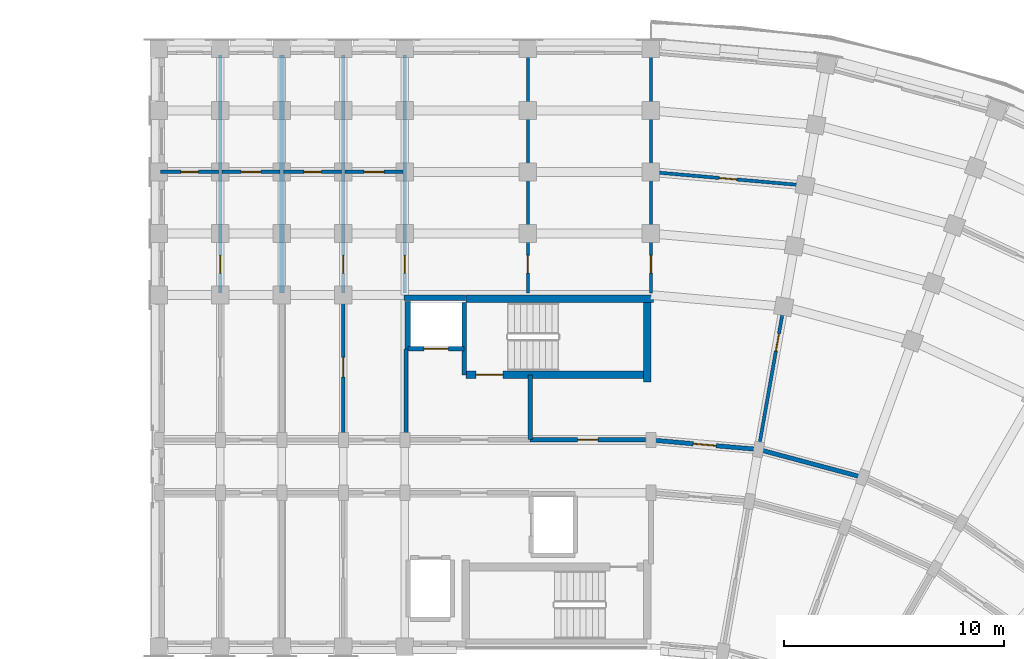
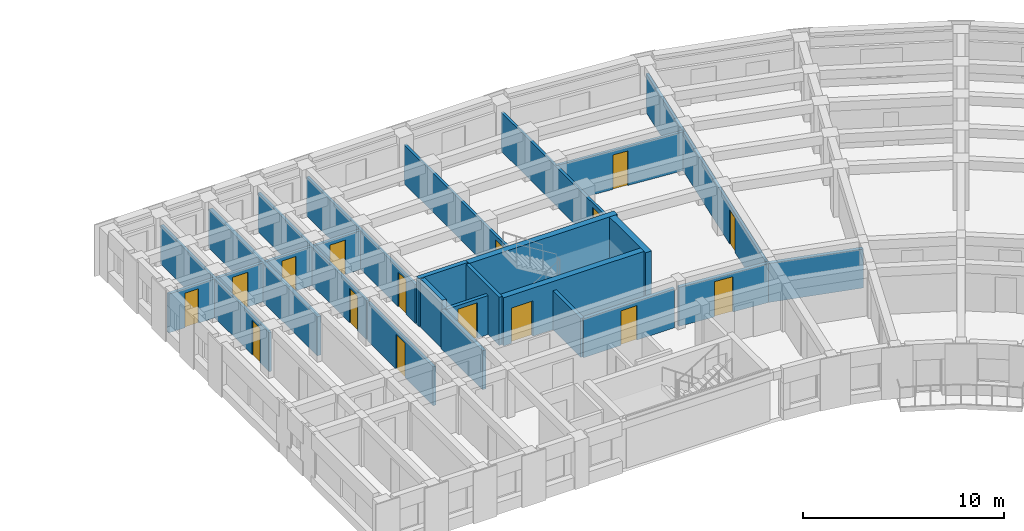
# One storey, part 30 of 54: 25 walls, 16 doors, 16 openings.
"""IFC4 building model written with IfcOpenShell, lengths in metres."""

from ifc_helpers import new_model, si_unit, direction, frame, frame_2d, origin, place, context, subcontext, project, spatial, rectangle, extrude, material, layer, layer_set, type_object, element, fill, save


model = new_model("IFC4")

# Units and contexts
model_context = context("Model", 3, precision=1e-05, world=origin(), true_north=direction((0.0, 1.0)))
body_context = subcontext(model_context, "Body", "Model", "MODEL_VIEW")
ifc_project = project(units=[si_unit("LENGTHUNIT", "METRE"), si_unit("AREAUNIT", "SQUARE_METRE"), si_unit("VOLUMEUNIT", "CUBIC_METRE"), si_unit("PLANEANGLEUNIT", "RADIAN"), si_unit("MASSUNIT", "GRAM", prefix="KILO")], contexts=[model_context])

# Site, building, storey
site_placement = place(None, origin())
site = spatial("IfcSite", under=ifc_project, at=site_placement, CompositionType="ELEMENT")
building_placement = place(site_placement, origin())
building = spatial("IfcBuilding", under=site, at=building_placement, Name="Kiranvali Square Residences", CompositionType="ELEMENT")
storey_placement = place(building_placement, frame((0.0, 0.0, 11.85009765625)))
storey = spatial("IfcBuildingStorey", under=building, at=storey_placement, Name="L03", CompositionType="ELEMENT", Elevation=11.85009765625)

# Wall, opening, door
ifc_material_1 = material(Name="Autoclaved aerated concrete blockwork masonry", Category="masonry")
ifc_layer_1 = layer(ifc_material_1, 0.199951171875)
ifc_layer_set_1 = layer_set([ifc_layer_1], Name="Autoclaved aerated concrete blockwork masonry")
wall_type_1 = type_object("IfcWallType", Name="WL-COR-200", PredefinedType="STANDARD", material=ifc_layer_set_1)
wall_1_placement = place(storey_placement, frame((119.800048828125, 116.0, 0.0), z_axis=(0.0, 0.0, 1.0), x_axis=(0.996193663584, -0.087167566415, 0.0)))
wall_1 = element("IfcWall", 1, at=wall_1_placement, inside=storey, type_object=wall_type_1, Name="L03 architectural wall WL-L03-B-CCO-0", PredefinedType="STANDARD", context=body_context, shape_type="SweptSolid", body=[
    extrude(rectangle(XDim=4.91552734375, YDim=0.199951171875, at=frame_2d((2.457763671875, 0.0))), origin(), (0.0, 0.0, 1.0), 2.371826171875),
])
opening_1_placement = place(wall_1_placement, frame((1.937744140625, 0.0, 0.0)))
opening_1 = element("IfcOpeningElement", 2, at=opening_1_placement, cuts=wall_1, Name="Opening FD-APT-60B", PredefinedType="OPENING", context=body_context, shape_type="SweptSolid", body=[
    extrude(rectangle(XDim=1.0400390625, YDim=2.14990234375, at=frame_2d((0.52001953125, 1.074951171875))), frame((0.0, 0.10986328125, 0.0), z_axis=(0.0, -1.0, 0.0), x_axis=(1.0, 0.0, 0.0)), (0.0, 0.0, 1.0), 0.219970703125),
])
ifc_material_2 = material(Name="Fire-rated acoustic hardwood and mineral-core door assembly", Category="wood")
door_type_1 = type_object("IfcDoorType", Name="DR-APT-1040", OperationType="NOTDEFINED", PredefinedType="DOOR", material=ifc_material_2)
door_1_placement = place(opening_1_placement, frame((1.0400390625, 0.0, 0.0), z_axis=(0.0, 0.0, 1.0), x_axis=(-1.0, 0.0, 0.0)))
door_1 = element("IfcDoor", 3, at=door_1_placement, inside=storey, type_object=door_type_1, Name="L03 door DR-L03-1166 (DR-APT-1040)", OperationType="SINGLE_SWING_RIGHT", OverallHeight=2.14990234375, OverallWidth=1.0400390625, PredefinedType="DOOR", context=body_context, shape_type="SweptSolid", body=[
    extrude(rectangle(XDim=1.0400390625, YDim=2.14990234375, at=frame_2d((0.52001953125, 1.074951171875))), frame((0.0, 0.02490234375, 0.0), z_axis=(0.0, -1.0, 0.0), x_axis=(1.0, 0.0, 0.0)), (0.0, 0.0, 1.0), 0.050048828125),
])
fill(opening_1, door_1)

# Walls
wall_2_placement = place(storey_placement, frame((124.69677734375, 115.571533203125, 0.0), z_axis=(0.0, 0.0, 1.0), x_axis=(0.965930095386, -0.258803112091, 0.0)))
element("IfcWall", 4, at=wall_2_placement, inside=storey, type_object=wall_type_1, Name="L03 architectural wall WL-L03-B-CCO-1", PredefinedType="STANDARD", context=body_context, shape_type="SweptSolid", body=[
    extrude(rectangle(XDim=4.915771484375, YDim=0.199951171875, at=frame_2d((2.4580078125, 0.0))), origin(), (0.0, 0.0, 1.0), 2.371826171875),
])
ifc_layer_2 = layer(ifc_material_1, 0.219970703125)
ifc_layer_set_2 = layer_set([ifc_layer_2], Name="Autoclaved aerated concrete blockwork masonry")
wall_type_2 = type_object("IfcWallType", Name="WL-DEM-220", PredefinedType="STANDARD", material=ifc_layer_set_2)
wall_3_placement = place(storey_placement, frame((103.0, 122.699951171875, 0.0), z_axis=(0.0, 0.0, 1.0), x_axis=(0.0, 1.0, 0.0)))
element("IfcWall", 5, at=wall_3_placement, inside=storey, type_object=wall_type_2, Name="L03 architectural wall WL-L03-B-A1TO2-2", PredefinedType="STANDARD", context=body_context, shape_type="SweptSolid", body=[
    extrude(rectangle(XDim=10.820068359375, YDim=0.219970703125, at=frame_2d((5.41015625, 0.0))), origin(), (0.0, 0.0, 1.0), 2.371826171875),
])
ifc_layer_3 = layer(ifc_material_1, 0.199951171875)
ifc_layer_set_3 = layer_set([ifc_layer_3], Name="Autoclaved aerated concrete blockwork masonry")
wall_type_3 = type_object("IfcWallType", Name="WL-FFL-200", PredefinedType="STANDARD", material=ifc_layer_set_3)
wall_4_placement = place(storey_placement, frame((114.300048828125, 116.02001953125, 0.0), z_axis=(0.0, 0.0, 1.0), x_axis=(0.0, 1.0, 0.0)))
element("IfcWall", 6, at=wall_4_placement, inside=storey, type_object=wall_type_3, Name="L03 architectural wall WL-L03-B-FF-DIV", PredefinedType="STANDARD", context=body_context, shape_type="SweptSolid", body=[
    extrude(rectangle(XDim=2.929931640625, YDim=0.199951171875, at=frame_2d((1.46484375, 0.0))), origin(), (0.0, 0.0, 1.0), 2.371826171875),
])
wall_5_placement = place(storey_placement, frame((108.64990234375, 116.02001953125, 0.0), z_axis=(0.0, 0.0, 1.0), x_axis=(0.0, 1.0, 0.0)))
element("IfcWall", 7, at=wall_5_placement, inside=storey, type_object=wall_type_3, Name="L03 architectural wall WL-L03-B-FF-END", PredefinedType="STANDARD", context=body_context, shape_type="SweptSolid", body=[
    extrude(rectangle(XDim=4.1298828125, YDim=0.199951171875, at=frame_2d((2.06494140625, 0.0))), origin(), (0.0, 0.0, 1.0), 2.371826171875),
])

# Wall, opening, door
wall_6_placement = place(storey_placement, frame((111.300048828125, 120.14990234375, 0.0), z_axis=(0.0, 0.0, 1.0), x_axis=(-1.0, 0.0, 0.0)))
wall_6 = element("IfcWall", 8, at=wall_6_placement, inside=storey, type_object=wall_type_3, Name="L03 architectural wall WL-L03-B-FF-LFT", PredefinedType="STANDARD", context=body_context, shape_type="SweptSolid", body=[
    extrude(rectangle(XDim=2.550048828125, YDim=0.199951171875, at=frame_2d((1.27490234375, 0.0))), origin(), (0.0, 0.0, 1.0), 2.371826171875),
])
opening_2_placement = place(wall_6_placement, frame((0.72509765625, 0.0, 0.0)))
opening_2 = element("IfcOpeningElement", 9, at=opening_2_placement, cuts=wall_6, Name="Opening LD-FF-110", PredefinedType="OPENING", context=body_context, shape_type="SweptSolid", body=[
    extrude(rectangle(XDim=1.10009765625, YDim=2.14990234375, at=frame_2d((0.550048828125, 1.074951171875))), frame((0.0, 0.10986328125, 0.0), z_axis=(0.0, -1.0, 0.0), x_axis=(1.0, 0.0, 0.0)), (0.0, 0.0, 1.0), 0.219970703125),
])
door_type_2 = type_object("IfcDoorType", Name="DR-LIFT-FF-1100", OperationType="SLIDING_TO_LEFT", PredefinedType="DOOR", material=ifc_material_2)
door_2_placement = place(opening_2_placement, origin())
door_2 = element("IfcDoor", 10, at=door_2_placement, inside=storey, type_object=door_type_2, Name="L03 door DR-L03-1130 (DR-LIFT-FF-1100)", OperationType="SLIDING_TO_LEFT", OverallHeight=2.14990234375, OverallWidth=1.10009765625, PredefinedType="DOOR", context=body_context, shape_type="SweptSolid", body=[
    extrude(rectangle(XDim=1.10009765625, YDim=2.14990234375, at=frame_2d((0.550048828125, 1.074951171875))), frame((0.0, 0.02490234375, 0.0), z_axis=(0.0, -1.0, 0.0), x_axis=(1.0, 0.0, 0.0)), (0.0, 0.0, 1.0), 0.050048828125),
])
fill(opening_2, door_2)

ifc_material_3 = material(Name="Acoustic gypsum board drylined partition", Category="gypsum")
ifc_layer_4 = layer(ifc_material_3, 0.14990234375)
ifc_layer_set_4 = layer_set([ifc_layer_4], Name="Acoustic gypsum board drylined partition")
wall_type_4 = type_object("IfcWallType", Name="WL-PRT-150", PredefinedType="PARTITIONING", material=ifc_layer_set_4)
wall_7_placement = place(storey_placement, frame((114.199951171875, 122.699951171875, 0.0), z_axis=(0.0, 0.0, 1.0), x_axis=(0.0, 1.0, 0.0)))
wall_7 = element("IfcWall", 11, at=wall_7_placement, inside=storey, type_object=wall_type_4, Name="L03 architectural wall WL-L03-B-CF-MID", PredefinedType="PARTITIONING", context=body_context, shape_type="SweptSolid", body=[
    extrude(rectangle(XDim=10.820068359375, YDim=0.14990234375, at=frame_2d((5.41015625, 0.0))), origin(), (0.0, 0.0, 1.0), 2.371826171875),
])
opening_3_placement = place(wall_7_placement, frame((0.8994140625, 0.0, 0.0)))
opening_3 = element("IfcOpeningElement", 12, at=opening_3_placement, cuts=wall_7, Name="Opening ID-WET", PredefinedType="OPENING", context=body_context, shape_type="SweptSolid", body=[
    extrude(rectangle(XDim=0.800048828125, YDim=2.10009765625, at=frame_2d((0.39990234375, 1.050048828125))), frame((0.0, 0.0849609375, 0.0), z_axis=(0.0, -1.0, 0.0), x_axis=(1.0, 0.0, 0.0)), (0.0, 0.0, 1.0), 0.169921875),
])
ifc_material_4 = material(Name="Solid seasoned teak hardwood joinery", Category="wood")
door_type_3 = type_object("IfcDoorType", Name="DR-WET-800", OperationType="NOTDEFINED", PredefinedType="DOOR", material=ifc_material_4)
door_3_placement = place(opening_3_placement, origin())
door_3 = element("IfcDoor", 13, at=door_3_placement, inside=storey, type_object=door_type_3, Name="L03 door DR-L03-1139 (DR-WET-800)", OperationType="SINGLE_SWING_LEFT", OverallHeight=2.10009765625, OverallWidth=0.800048828125, PredefinedType="DOOR", context=body_context, shape_type="SweptSolid", body=[
    extrude(rectangle(XDim=0.800048828125, YDim=2.10009765625, at=frame_2d((0.39990234375, 1.050048828125))), frame((0.0, 0.02490234375, 0.0), z_axis=(0.0, -1.0, 0.0), x_axis=(1.0, 0.0, 0.0)), (0.0, 0.0, 1.0), 0.050048828125),
])
fill(opening_3, door_3)

wall_8_placement = place(storey_placement, frame((108.60009765625, 122.699951171875, 0.0), z_axis=(0.0, 0.0, 1.0), x_axis=(0.0, 1.0, 0.0)))
wall_8 = element("IfcWall", 14, at=wall_8_placement, inside=storey, type_object=wall_type_4, Name="L03 architectural wall WL-L03-B-A1TO2-0", PredefinedType="PARTITIONING", context=body_context, shape_type="SweptSolid", body=[
    extrude(rectangle(XDim=10.820068359375, YDim=0.14990234375, at=frame_2d((5.41015625, 0.0))), origin(), (0.0, 0.0, 1.0), 2.371826171875),
])
opening_4_placement = place(wall_8_placement, frame((0.8994140625, 0.0, 0.0)))
opening_4 = element("IfcOpeningElement", 15, at=opening_4_placement, cuts=wall_8, Name="Opening ID-WET", PredefinedType="OPENING", context=body_context, shape_type="SweptSolid", body=[
    extrude(rectangle(XDim=0.800048828125, YDim=2.10009765625, at=frame_2d((0.39990234375, 1.050048828125))), frame((0.0, 0.0849609375, 0.0), z_axis=(0.0, -1.0, 0.0), x_axis=(1.0, 0.0, 0.0)), (0.0, 0.0, 1.0), 0.169921875),
])
door_4_placement = place(opening_4_placement, frame((0.800048828125, 0.0, 0.0), z_axis=(0.0, 0.0, 1.0), x_axis=(-1.0, 0.0, 0.0)))
door_4 = element("IfcDoor", 16, at=door_4_placement, inside=storey, type_object=door_type_3, Name="L03 door DR-L03-1148 (DR-WET-800)", OperationType="SINGLE_SWING_RIGHT", OverallHeight=2.10009765625, OverallWidth=0.800048828125, PredefinedType="DOOR", context=body_context, shape_type="SweptSolid", body=[
    extrude(rectangle(XDim=0.800048828125, YDim=2.10009765625, at=frame_2d((0.39990234375, 1.050048828125))), frame((0.0, 0.02490234375, 0.0), z_axis=(0.0, -1.0, 0.0), x_axis=(1.0, 0.0, 0.0)), (0.0, 0.0, 1.0), 0.050048828125),
])
fill(opening_4, door_4)

wall_9_placement = place(storey_placement, frame((105.800048828125, 116.050048828125, 0.0), z_axis=(0.0, 0.0, 1.0), x_axis=(0.0, 1.0, 0.0)))
wall_9 = element("IfcWall", 17, at=wall_9_placement, inside=storey, type_object=wall_type_4, Name="L03 architectural wall WL-L03-B-A1TO1-1", PredefinedType="PARTITIONING", context=body_context, shape_type="SweptSolid", body=[
    extrude(rectangle(XDim=6.530029296875, YDim=0.14990234375, at=frame_2d((3.26513671875, 0.0))), origin(), (0.0, 0.0, 1.0), 2.371826171875),
])
opening_5_placement = place(wall_9_placement, frame((2.81494140625, 0.0, 0.0)))
opening_5 = element("IfcOpeningElement", 18, at=opening_5_placement, cuts=wall_9, Name="Opening ID-1", PredefinedType="OPENING", context=body_context, shape_type="SweptSolid", body=[
    extrude(rectangle(XDim=0.89990234375, YDim=2.10009765625, at=frame_2d((0.449951171875, 1.050048828125))), frame((0.0, 0.0849609375, 0.0), z_axis=(0.0, -1.0, 0.0), x_axis=(1.0, 0.0, 0.0)), (0.0, 0.0, 1.0), 0.169921875),
])
door_type_4 = type_object("IfcDoorType", Name="DR-INT-900", OperationType="NOTDEFINED", PredefinedType="DOOR", material=ifc_material_4)
door_5_placement = place(opening_5_placement, frame((0.89990234375, 0.0, 0.0), z_axis=(0.0, 0.0, 1.0), x_axis=(-1.0, 0.0, 0.0)))
door_5 = element("IfcDoor", 19, at=door_5_placement, inside=storey, type_object=door_type_4, Name="L03 door DR-L03-1150 (DR-INT-900)", OperationType="SINGLE_SWING_RIGHT", OverallHeight=2.10009765625, OverallWidth=0.89990234375, PredefinedType="DOOR", context=body_context, shape_type="SweptSolid", body=[
    extrude(rectangle(XDim=0.89990234375, YDim=2.10009765625, at=frame_2d((0.449951171875, 1.050048828125))), frame((0.0, 0.02490234375, 0.0), z_axis=(0.0, -1.0, 0.0), x_axis=(1.0, 0.0, 0.0)), (0.0, 0.0, 1.0), 0.050048828125),
])
fill(opening_5, door_5)

wall_10_placement = place(storey_placement, frame((105.800048828125, 122.699951171875, 0.0), z_axis=(0.0, 0.0, 1.0), x_axis=(0.0, 1.0, 0.0)))
wall_10 = element("IfcWall", 20, at=wall_10_placement, inside=storey, type_object=wall_type_4, Name="L03 architectural wall WL-L03-B-A1TO2-1", PredefinedType="PARTITIONING", context=body_context, shape_type="SweptSolid", body=[
    extrude(rectangle(XDim=10.820068359375, YDim=0.14990234375, at=frame_2d((5.41015625, 0.0))), origin(), (0.0, 0.0, 1.0), 2.371826171875),
])
opening_6_placement = place(wall_10_placement, frame((0.8994140625, 0.0, 0.0)))
opening_6 = element("IfcOpeningElement", 21, at=opening_6_placement, cuts=wall_10, Name="Opening ID-WET", PredefinedType="OPENING", context=body_context, shape_type="SweptSolid", body=[
    extrude(rectangle(XDim=0.800048828125, YDim=2.10009765625, at=frame_2d((0.39990234375, 1.050048828125))), frame((0.0, 0.0849609375, 0.0), z_axis=(0.0, -1.0, 0.0), x_axis=(1.0, 0.0, 0.0)), (0.0, 0.0, 1.0), 0.169921875),
])
door_6_placement = place(opening_6_placement, origin())
door_6 = element("IfcDoor", 22, at=door_6_placement, inside=storey, type_object=door_type_3, Name="L03 door DR-L03-1151 (DR-WET-800)", OperationType="SINGLE_SWING_LEFT", OverallHeight=2.10009765625, OverallWidth=0.800048828125, PredefinedType="DOOR", context=body_context, shape_type="SweptSolid", body=[
    extrude(rectangle(XDim=0.800048828125, YDim=2.10009765625, at=frame_2d((0.39990234375, 1.050048828125))), frame((0.0, 0.02490234375, 0.0), z_axis=(0.0, -1.0, 0.0), x_axis=(1.0, 0.0, 0.0)), (0.0, 0.0, 1.0), 0.050048828125),
])
fill(opening_6, door_6)

wall_11_placement = place(storey_placement, frame((100.199951171875, 122.699951171875, 0.0), z_axis=(0.0, 0.0, 1.0), x_axis=(0.0, 1.0, 0.0)))
wall_11 = element("IfcWall", 23, at=wall_11_placement, inside=storey, type_object=wall_type_4, Name="L03 architectural wall WL-L03-B-A1TO2-3", PredefinedType="PARTITIONING", context=body_context, shape_type="SweptSolid", body=[
    extrude(rectangle(XDim=10.820068359375, YDim=0.14990234375, at=frame_2d((5.41015625, 0.0))), origin(), (0.0, 0.0, 1.0), 2.371826171875),
])
opening_7_placement = place(wall_11_placement, frame((0.8994140625, 0.0, 0.0)))
opening_7 = element("IfcOpeningElement", 24, at=opening_7_placement, cuts=wall_11, Name="Opening ID-WET", PredefinedType="OPENING", context=body_context, shape_type="SweptSolid", body=[
    extrude(rectangle(XDim=0.800048828125, YDim=2.10009765625, at=frame_2d((0.39990234375, 1.050048828125))), frame((0.0, 0.0849609375, 0.0), z_axis=(0.0, -1.0, 0.0), x_axis=(1.0, 0.0, 0.0)), (0.0, 0.0, 1.0), 0.169921875),
])
door_7_placement = place(opening_7_placement, frame((0.800048828125, 0.0, 0.0), z_axis=(0.0, 0.0, 1.0), x_axis=(-1.0, 0.0, 0.0)))
door_7 = element("IfcDoor", 25, at=door_7_placement, inside=storey, type_object=door_type_3, Name="L03 door DR-L03-1154 (DR-WET-800)", OperationType="SINGLE_SWING_RIGHT", OverallHeight=2.10009765625, OverallWidth=0.800048828125, PredefinedType="DOOR", context=body_context, shape_type="SweptSolid", body=[
    extrude(rectangle(XDim=0.800048828125, YDim=2.10009765625, at=frame_2d((0.39990234375, 1.050048828125))), frame((0.0, 0.02490234375, 0.0), z_axis=(0.0, -1.0, 0.0), x_axis=(1.0, 0.0, 0.0)), (0.0, 0.0, 1.0), 0.050048828125),
])
fill(opening_7, door_7)

wall_12_placement = place(storey_placement, frame((119.800048828125, 122.699951171875, 0.0), z_axis=(0.0, 0.0, 1.0), x_axis=(0.0, 1.0, 0.0)))
wall_12 = element("IfcWall", 26, at=wall_12_placement, inside=storey, type_object=wall_type_4, Name="L03 architectural wall WL-L03-B-RADO-0", PredefinedType="PARTITIONING", context=body_context, shape_type="SweptSolid", body=[
    extrude(rectangle(XDim=10.820068359375, YDim=0.14990234375, at=frame_2d((5.41015625, 0.0))), origin(), (0.0, 0.0, 1.0), 2.371826171875),
])
opening_8_placement = place(wall_12_placement, frame((0.8994140625, 0.0, 0.0)))
opening_8 = element("IfcOpeningElement", 27, at=opening_8_placement, cuts=wall_12, Name="Opening ID-WET", PredefinedType="OPENING", context=body_context, shape_type="SweptSolid", body=[
    extrude(rectangle(XDim=0.800048828125, YDim=2.10009765625, at=frame_2d((0.39990234375, 1.050048828125))), frame((0.0, 0.0849609375, 0.0), z_axis=(0.0, -1.0, 0.0), x_axis=(1.0, 0.0, 0.0)), (0.0, 0.0, 1.0), 0.169921875),
])
door_8_placement = place(opening_8_placement, origin())
door_8 = element("IfcDoor", 28, at=door_8_placement, inside=storey, type_object=door_type_3, Name="L03 door DR-L03-1155 (DR-WET-800)", OperationType="SINGLE_SWING_LEFT", OverallHeight=2.10009765625, OverallWidth=0.800048828125, PredefinedType="DOOR", context=body_context, shape_type="SweptSolid", body=[
    extrude(rectangle(XDim=0.800048828125, YDim=2.10009765625, at=frame_2d((0.39990234375, 1.050048828125))), frame((0.0, 0.02490234375, 0.0), z_axis=(0.0, -1.0, 0.0), x_axis=(1.0, 0.0, 0.0)), (0.0, 0.0, 1.0), 0.050048828125),
])
fill(opening_8, door_8)

wall_13_placement = place(storey_placement, frame((124.71435546875, 115.670166015625, 0.0), z_axis=(0.0, 0.0, 1.0), x_axis=(0.173646216546, 0.984808098809, 0.0)))
wall_13 = element("IfcWall", 29, at=wall_13_placement, inside=storey, type_object=wall_type_4, Name="L03 architectural wall WL-L03-B-RADO-1", PredefinedType="PARTITIONING", context=body_context, shape_type="SweptSolid", body=[
    extrude(rectangle(XDim=17.419921875, YDim=0.14990234375, at=frame_2d((8.7099609375, 0.0))), origin(), (0.0, 0.0, 1.0), 2.371826171875),
])
opening_9_placement = place(wall_13_placement, frame((4.44970703125, 0.0, 0.0)))
opening_9 = element("IfcOpeningElement", 30, at=opening_9_placement, cuts=wall_13, Name="Opening ID-WET", PredefinedType="OPENING", context=body_context, shape_type="SweptSolid", body=[
    extrude(rectangle(XDim=0.800048828125, YDim=2.10009765625, at=frame_2d((0.39990234375, 1.050048828125))), frame((0.0, 0.0849609375, 0.0), z_axis=(0.0, -1.0, 0.0), x_axis=(1.0, 0.0, 0.0)), (0.0, 0.0, 1.0), 0.169921875),
])
door_9_placement = place(opening_9_placement, origin())
door_9 = element("IfcDoor", 31, at=door_9_placement, inside=storey, type_object=door_type_3, Name="L03 door DR-L03-1157 (DR-WET-800)", OperationType="SINGLE_SWING_LEFT", OverallHeight=2.10009765625, OverallWidth=0.800048828125, PredefinedType="DOOR", context=body_context, shape_type="SweptSolid", body=[
    extrude(rectangle(XDim=0.800048828125, YDim=2.10009765625, at=frame_2d((0.39990234375, 1.050048828125))), frame((0.0, 0.02490234375, 0.0), z_axis=(0.0, -1.0, 0.0), x_axis=(1.0, 0.0, 0.0)), (0.0, 0.0, 1.0), 0.050048828125),
])
fill(opening_9, door_9)

ifc_layer_5 = layer(ifc_material_1, 0.199951171875)
ifc_layer_set_5 = layer_set([ifc_layer_5], Name="Autoclaved aerated concrete blockwork masonry")
wall_type_5 = type_object("IfcWallType", Name="WL-SHF-200", PredefinedType="STANDARD", material=ifc_layer_set_5)
wall_14_placement = place(storey_placement, frame((119.550048828125, 116.02001953125, 0.0), z_axis=(0.0, 0.0, 1.0), x_axis=(-1.0, 0.0, 0.0)))
wall_14 = element("IfcWall", 32, at=wall_14_placement, inside=storey, type_object=wall_type_5, Name="L03 architectural wall WL-L03-B-RSR-COR", PredefinedType="STANDARD", context=body_context, shape_type="SweptSolid", body=[
    extrude(rectangle(XDim=5.25, YDim=0.199951171875, at=frame_2d((2.625, 0.0))), origin(), (0.0, 0.0, 1.0), 2.371826171875),
])
opening_10_placement = place(wall_14_placement, frame((2.1650390625, 0.0, 0.0)))
opening_10 = element("IfcOpeningElement", 33, at=opening_10_placement, cuts=wall_14, Name="Opening FD-SVC-120", PredefinedType="OPENING", context=body_context, shape_type="SweptSolid", body=[
    extrude(rectangle(XDim=0.919921875, YDim=2.10009765625, at=frame_2d((0.4599609375, 1.050048828125))), frame((0.0, 0.10986328125, 0.0), z_axis=(0.0, -1.0, 0.0), x_axis=(1.0, 0.0, 0.0)), (0.0, 0.0, 1.0), 0.219970703125),
])
door_type_5 = type_object("IfcDoorType", Name="DR-SVC-900", OperationType="NOTDEFINED", PredefinedType="DOOR", material=ifc_material_2)
door_10_placement = place(opening_10_placement, origin())
door_10 = element("IfcDoor", 34, at=door_10_placement, inside=storey, type_object=door_type_5, Name="L03 door DR-L03-1129 (DR-SVC-900)", OperationType="SINGLE_SWING_LEFT", OverallHeight=2.10009765625, OverallWidth=0.919921875, PredefinedType="DOOR", context=body_context, shape_type="SweptSolid", body=[
    extrude(rectangle(XDim=0.919921875, YDim=2.10009765625, at=frame_2d((0.4599609375, 1.050048828125))), frame((0.0, 0.02490234375, 0.0), z_axis=(0.0, -1.0, 0.0), x_axis=(1.0, 0.0, 0.0)), (0.0, 0.0, 1.0), 0.050048828125),
])
fill(opening_10, door_10)

# Walls
wall_15_placement = place(storey_placement, frame((111.300048828125, 118.949951171875, 0.0), z_axis=(0.0, 0.0, 1.0), x_axis=(0.0, 1.0, 0.0)))
element("IfcWall", 35, at=wall_15_placement, inside=storey, type_object=wall_type_5, Name="L03 architectural wall WL-L03-B-FF-SHF", PredefinedType="STANDARD", context=body_context, shape_type="SweptSolid", body=[
    extrude(rectangle(XDim=3.300048828125, YDim=0.199951171875, at=frame_2d((1.64990234375, 0.0))), origin(), (0.0, 0.0, 1.0), 2.929931640625),
])
ifc_material_5 = material(Name="Concrete M45 (45 MPa)", Category="concrete")
ifc_layer_6 = layer(ifc_material_5, 0.25)
ifc_layer_set_6 = layer_set([ifc_layer_6], Name="Concrete M45 (45 MPa)")
wall_type_6 = type_object("IfcWallType", Name="WL-SHR-250", PredefinedType="SHEAR", material=ifc_layer_set_6)
wall_16_placement = place(storey_placement, frame((111.35009765625, 122.47509765625, 0.0), z_axis=(0.0, 0.0, 1.0), x_axis=(-1.0, 0.0, 0.0)))
element("IfcWall", 36, at=wall_16_placement, inside=storey, type_object=wall_type_6, Name="Block B core shear wall SW-BFF-BK-L03", PredefinedType="SHEAR", context=body_context, shape_type="SweptSolid", body=[
    extrude(rectangle(XDim=2.800048828125, YDim=0.25, at=frame_2d((1.39990234375, 0.0))), origin(), (0.0, 0.0, 1.0), 2.929931640625),
])
wall_17_placement = place(storey_placement, frame((108.72509765625, 120.14990234375, 0.0), z_axis=(0.0, 0.0, 1.0), x_axis=(0.0, 1.0, 0.0)))
element("IfcWall", 37, at=wall_17_placement, inside=storey, type_object=wall_type_6, Name="Block B core shear wall SW-BFF-SD-L03", PredefinedType="SHEAR", context=body_context, shape_type="SweptSolid", body=[
    extrude(rectangle(XDim=2.150146484375, YDim=0.25, at=frame_2d((1.0751953125, 0.0))), origin(), (0.0, 0.0, 1.0), 2.929931640625),
])
ifc_material_6 = material(Name="Concrete M50 (50 MPa)", Category="concrete")
ifc_layer_7 = layer(ifc_material_6, 0.35009765625)
ifc_layer_set_7 = layer_set([ifc_layer_7], Name="Concrete M50 (50 MPa)")
wall_type_7 = type_object("IfcWallType", Name="WL-SHR-350", PredefinedType="SHEAR", material=ifc_layer_set_7)
wall_18_placement = place(storey_placement, frame((119.919921875, 122.425048828125, 0.0), z_axis=(0.0, 0.0, 1.0), x_axis=(-1.0, 0.0, 0.0)))
element("IfcWall", 38, at=wall_18_placement, inside=storey, type_object=wall_type_7, Name="Block B core shear wall SW-B1-OUT-L03", PredefinedType="SHEAR", context=body_context, shape_type="SweptSolid", body=[
    extrude(rectangle(XDim=8.544921875, YDim=0.35009765625, at=frame_2d((4.2724609375, 0.0))), origin(), (0.0, 0.0, 1.0), 2.929931640625),
])

# Wall, opening, door
wall_19_placement = place(storey_placement, frame((119.449951171875, 118.97509765625, 0.0), z_axis=(0.0, 0.0, 1.0), x_axis=(-1.0, 0.0, 0.0)))
wall_19 = element("IfcWall", 39, at=wall_19_placement, inside=storey, type_object=wall_type_7, Name="Block B core shear wall SW-B1-IN-L03", PredefinedType="SHEAR", context=body_context, shape_type="SweptSolid", body=[
    extrude(rectangle(XDim=8.074951171875, YDim=0.35009765625, at=frame_2d((4.03759765625, 0.0))), origin(), (0.0, 0.0, 1.0), 2.929931640625),
])
opening_11_placement = place(wall_19_placement, frame((6.3798828125, 0.0, 0.0)))
opening_11 = element("IfcOpeningElement", 40, at=opening_11_placement, cuts=wall_19, Name="Opening FD-ST-120", PredefinedType="OPENING", context=body_context, shape_type="SweptSolid", body=[
    extrude(rectangle(XDim=1.239990234375, YDim=2.14990234375, at=frame_2d((0.6201171875, 1.074951171875))), frame((0.0, 0.18505859375, 0.0), z_axis=(0.0, -1.0, 0.0), x_axis=(1.0, 0.0, 0.0)), (0.0, 0.0, 1.0), 0.3701171875),
])
door_type_6 = type_object("IfcDoorType", Name="DR-FD120-1200", OperationType="NOTDEFINED", PredefinedType="DOOR", material=ifc_material_2)
door_11_placement = place(opening_11_placement, frame((1.239990234375, 0.0, 0.0), z_axis=(0.0, 0.0, 1.0), x_axis=(-1.0, 0.0, 0.0)))
door_11 = element("IfcDoor", 41, at=door_11_placement, inside=storey, type_object=door_type_6, Name="L03 door DR-L03-1131 (DR-FD120-1200)", OperationType="SINGLE_SWING_LEFT", OverallHeight=2.14990234375, OverallWidth=1.239990234375, PredefinedType="DOOR", context=body_context, shape_type="SweptSolid", body=[
    extrude(rectangle(XDim=1.239990234375, YDim=2.14990234375, at=frame_2d((0.6201171875, 1.074951171875))), frame((0.0, 0.02490234375, 0.0), z_axis=(0.0, -1.0, 0.0), x_axis=(1.0, 0.0, 0.0)), (0.0, 0.0, 1.0), 0.050048828125),
])
fill(opening_11, door_11)

# Wall
wall_20_placement = place(storey_placement, frame((119.625, 118.64990234375, 0.0), z_axis=(0.0, 0.0, 1.0), x_axis=(0.0, 1.0, 0.0)))
element("IfcWall", 42, at=wall_20_placement, inside=storey, type_object=wall_type_7, Name="Block B core shear wall SW-B1-FAR-L03", PredefinedType="SHEAR", context=body_context, shape_type="SweptSolid", body=[
    extrude(rectangle(XDim=3.60009765625, YDim=0.35009765625, at=frame_2d((1.800048828125, 0.0))), origin(), (0.0, 0.0, 1.0), 2.929931640625),
])

# Wall, opening, door
ifc_layer_8 = layer(ifc_material_1, 0.14990234375)
ifc_layer_set_8 = layer_set([ifc_layer_8], Name="Autoclaved aerated concrete blockwork masonry")
wall_type_8 = type_object("IfcWallType", Name="WL-WET-150", PredefinedType="PLUMBINGWALL", material=ifc_layer_set_8)
wall_21_placement = place(storey_placement, frame((119.800048828125, 128.199951171875, 0.0), z_axis=(0.0, 0.0, 1.0), x_axis=(0.996194658198, -0.087156198737, 0.0)))
wall_21 = element("IfcWall", 43, at=wall_21_placement, inside=storey, type_object=wall_type_8, Name="L03 architectural wall WL-L03-B-CWET-0", PredefinedType="PLUMBINGWALL", context=body_context, shape_type="SweptSolid", body=[
    extrude(rectangle(XDim=7.042236328125, YDim=0.14990234375, at=frame_2d((3.52099609375, 0.0))), origin(), (0.0, 0.0, 1.0), 2.371826171875),
])
opening_12_placement = place(wall_21_placement, frame((3.12109375, 0.0, 0.0)))
opening_12 = element("IfcOpeningElement", 44, at=opening_12_placement, cuts=wall_21, Name="Opening ID-WET", PredefinedType="OPENING", context=body_context, shape_type="SweptSolid", body=[
    extrude(rectangle(XDim=0.800048828125, YDim=2.10009765625, at=frame_2d((0.39990234375, 1.050048828125))), frame((0.0, 0.0849609375, 0.0), z_axis=(0.0, -1.0, 0.0), x_axis=(1.0, 0.0, 0.0)), (0.0, 0.0, 1.0), 0.169921875),
])
door_12_placement = place(opening_12_placement, origin())
door_12 = element("IfcDoor", 45, at=door_12_placement, inside=storey, type_object=door_type_3, Name="L03 door DR-L03-1167 (DR-WET-800)", OperationType="SINGLE_SWING_LEFT", OverallHeight=2.10009765625, OverallWidth=0.800048828125, PredefinedType="DOOR", context=body_context, shape_type="SweptSolid", body=[
    extrude(rectangle(XDim=0.800048828125, YDim=2.10009765625, at=frame_2d((0.39990234375, 1.050048828125))), frame((0.0, 0.02490234375, 0.0), z_axis=(0.0, -1.0, 0.0), x_axis=(1.0, 0.0, 0.0)), (0.0, 0.0, 1.0), 0.050048828125),
])
fill(opening_12, door_12)

ifc_layer_9 = layer(ifc_material_1, 0.159912109375)
ifc_layer_set_9 = layer_set([ifc_layer_9], Name="Autoclaved aerated concrete blockwork masonry")
wall_type_9 = type_object("IfcWallType", Name="WL-WET-160", PredefinedType="PLUMBINGWALL", material=ifc_layer_set_9)
wall_22_placement = place(storey_placement, frame((108.52001953125, 128.199951171875, 0.0), z_axis=(0.0, 0.0, 1.0), x_axis=(-1.0, 0.0, 0.0)))
wall_22 = element("IfcWall", 46, at=wall_22_placement, inside=storey, type_object=wall_type_9, Name="L03 architectural wall WL-L03-B-A1SP-0", PredefinedType="PLUMBINGWALL", context=body_context, shape_type="SweptSolid", body=[
    extrude(rectangle(XDim=2.64013671875, YDim=0.159912109375, at=frame_2d((1.320068359375, 0.0))), origin(), (0.0, 0.0, 1.0), 2.371826171875),
])
opening_13_placement = place(wall_22_placement, frame((0.8701171875, 0.0, 0.0)))
opening_13 = element("IfcOpeningElement", 47, at=opening_13_placement, cuts=wall_22, Name="Opening ID-1", PredefinedType="OPENING", context=body_context, shape_type="SweptSolid", body=[
    extrude(rectangle(XDim=0.89990234375, YDim=2.10009765625, at=frame_2d((0.449951171875, 1.050048828125))), frame((0.0, 0.08984375, 0.0), z_axis=(0.0, -1.0, 0.0), x_axis=(1.0, 0.0, 0.0)), (0.0, 0.0, 1.0), 0.179931640625),
])
door_13_placement = place(opening_13_placement, origin())
door_13 = element("IfcDoor", 48, at=door_13_placement, inside=storey, type_object=door_type_4, Name="L03 door DR-L03-1141 (DR-INT-900)", OperationType="SINGLE_SWING_LEFT", OverallHeight=2.10009765625, OverallWidth=0.89990234375, PredefinedType="DOOR", context=body_context, shape_type="SweptSolid", body=[
    extrude(rectangle(XDim=0.89990234375, YDim=2.10009765625, at=frame_2d((0.449951171875, 1.050048828125))), frame((0.0, 0.02490234375, 0.0), z_axis=(0.0, -1.0, 0.0), x_axis=(1.0, 0.0, 0.0)), (0.0, 0.0, 1.0), 0.050048828125),
])
fill(opening_13, door_13)

wall_23_placement = place(storey_placement, frame((105.719970703125, 128.199951171875, 0.0), z_axis=(0.0, 0.0, 1.0), x_axis=(-1.0, 0.0, 0.0)))
wall_23 = element("IfcWall", 49, at=wall_23_placement, inside=storey, type_object=wall_type_9, Name="L03 architectural wall WL-L03-B-A1SP-1", PredefinedType="PLUMBINGWALL", context=body_context, shape_type="SweptSolid", body=[
    extrude(rectangle(XDim=2.639892578125, YDim=0.159912109375, at=frame_2d((1.31982421875, 0.0))), origin(), (0.0, 0.0, 1.0), 2.371826171875),
])
opening_14_placement = place(wall_23_placement, frame((0.919921875, 0.0, 0.0)))
opening_14 = element("IfcOpeningElement", 50, at=opening_14_placement, cuts=wall_23, Name="Opening ID-WET", PredefinedType="OPENING", context=body_context, shape_type="SweptSolid", body=[
    extrude(rectangle(XDim=0.800048828125, YDim=2.10009765625, at=frame_2d((0.39990234375, 1.050048828125))), frame((0.0, 0.08984375, 0.0), z_axis=(0.0, -1.0, 0.0), x_axis=(1.0, 0.0, 0.0)), (0.0, 0.0, 1.0), 0.179931640625),
])
door_14_placement = place(opening_14_placement, origin())
door_14 = element("IfcDoor", 51, at=door_14_placement, inside=storey, type_object=door_type_3, Name="L03 door DR-L03-1143 (DR-WET-800)", OperationType="SINGLE_SWING_LEFT", OverallHeight=2.10009765625, OverallWidth=0.800048828125, PredefinedType="DOOR", context=body_context, shape_type="SweptSolid", body=[
    extrude(rectangle(XDim=0.800048828125, YDim=2.10009765625, at=frame_2d((0.39990234375, 1.050048828125))), frame((0.0, 0.02490234375, 0.0), z_axis=(0.0, -1.0, 0.0), x_axis=(1.0, 0.0, 0.0)), (0.0, 0.0, 1.0), 0.050048828125),
])
fill(opening_14, door_14)

wall_24_placement = place(storey_placement, frame((102.919921875, 128.199951171875, 0.0), z_axis=(0.0, 0.0, 1.0), x_axis=(-1.0, 0.0, 0.0)))
wall_24 = element("IfcWall", 52, at=wall_24_placement, inside=storey, type_object=wall_type_9, Name="L03 architectural wall WL-L03-B-A1SP-2", PredefinedType="PLUMBINGWALL", context=body_context, shape_type="SweptSolid", body=[
    extrude(rectangle(XDim=2.639892578125, YDim=0.159912109375, at=frame_2d((1.31982421875, 0.0))), origin(), (0.0, 0.0, 1.0), 2.371826171875),
])
opening_15_placement = place(wall_24_placement, frame((0.8701171875, 0.0, 0.0)))
opening_15 = element("IfcOpeningElement", 53, at=opening_15_placement, cuts=wall_24, Name="Opening ID-1", PredefinedType="OPENING", context=body_context, shape_type="SweptSolid", body=[
    extrude(rectangle(XDim=0.89990234375, YDim=2.10009765625, at=frame_2d((0.449951171875, 1.050048828125))), frame((0.0, 0.08984375, 0.0), z_axis=(0.0, -1.0, 0.0), x_axis=(1.0, 0.0, 0.0)), (0.0, 0.0, 1.0), 0.179931640625),
])
door_15_placement = place(opening_15_placement, origin())
door_15 = element("IfcDoor", 54, at=door_15_placement, inside=storey, type_object=door_type_4, Name="L03 door DR-L03-1145 (DR-INT-900)", OperationType="SINGLE_SWING_LEFT", OverallHeight=2.10009765625, OverallWidth=0.89990234375, PredefinedType="DOOR", context=body_context, shape_type="SweptSolid", body=[
    extrude(rectangle(XDim=0.89990234375, YDim=2.10009765625, at=frame_2d((0.449951171875, 1.050048828125))), frame((0.0, 0.02490234375, 0.0), z_axis=(0.0, -1.0, 0.0), x_axis=(1.0, 0.0, 0.0)), (0.0, 0.0, 1.0), 0.050048828125),
])
fill(opening_15, door_15)

wall_25_placement = place(storey_placement, frame((100.1201171875, 128.199951171875, 0.0), z_axis=(0.0, 0.0, 1.0), x_axis=(-1.0, 0.0, 0.0)))
wall_25 = element("IfcWall", 55, at=wall_25_placement, inside=storey, type_object=wall_type_9, Name="L03 architectural wall WL-L03-B-A1SP-3", PredefinedType="PLUMBINGWALL", context=body_context, shape_type="SweptSolid", body=[
    extrude(rectangle(XDim=2.64013671875, YDim=0.159912109375, at=frame_2d((1.320068359375, 0.0))), origin(), (0.0, 0.0, 1.0), 2.371826171875),
])
opening_16_placement = place(wall_25_placement, frame((0.919921875, 0.0, 0.0)))
opening_16 = element("IfcOpeningElement", 56, at=opening_16_placement, cuts=wall_25, Name="Opening ID-WET", PredefinedType="OPENING", context=body_context, shape_type="SweptSolid", body=[
    extrude(rectangle(XDim=0.800048828125, YDim=2.10009765625, at=frame_2d((0.39990234375, 1.050048828125))), frame((0.0, 0.08984375, 0.0), z_axis=(0.0, -1.0, 0.0), x_axis=(1.0, 0.0, 0.0)), (0.0, 0.0, 1.0), 0.179931640625),
])
door_16_placement = place(opening_16_placement, origin())
door_16 = element("IfcDoor", 57, at=door_16_placement, inside=storey, type_object=door_type_3, Name="L03 door DR-L03-1147 (DR-WET-800)", OperationType="SINGLE_SWING_LEFT", OverallHeight=2.10009765625, OverallWidth=0.800048828125, PredefinedType="DOOR", context=body_context, shape_type="SweptSolid", body=[
    extrude(rectangle(XDim=0.800048828125, YDim=2.10009765625, at=frame_2d((0.39990234375, 1.050048828125))), frame((0.0, 0.02490234375, 0.0), z_axis=(0.0, -1.0, 0.0), x_axis=(1.0, 0.0, 0.0)), (0.0, 0.0, 1.0), 0.050048828125),
])
fill(opening_16, door_16)

save(model, "model.ifc")
